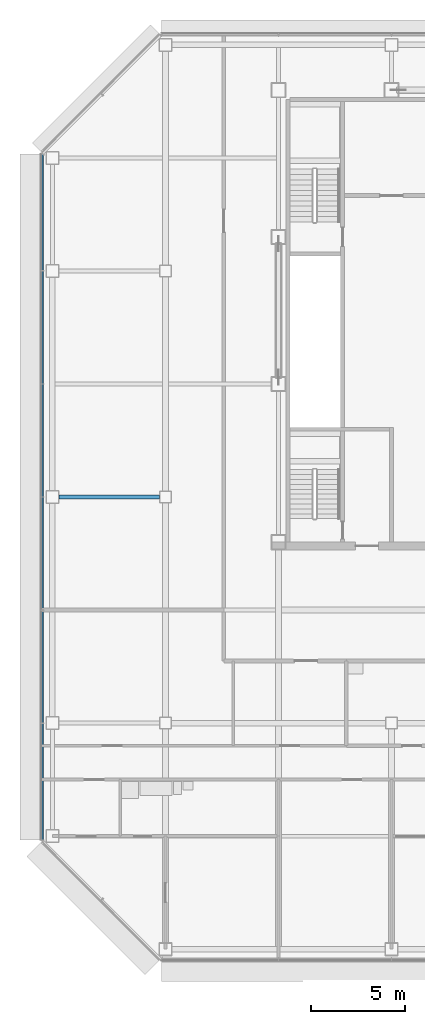
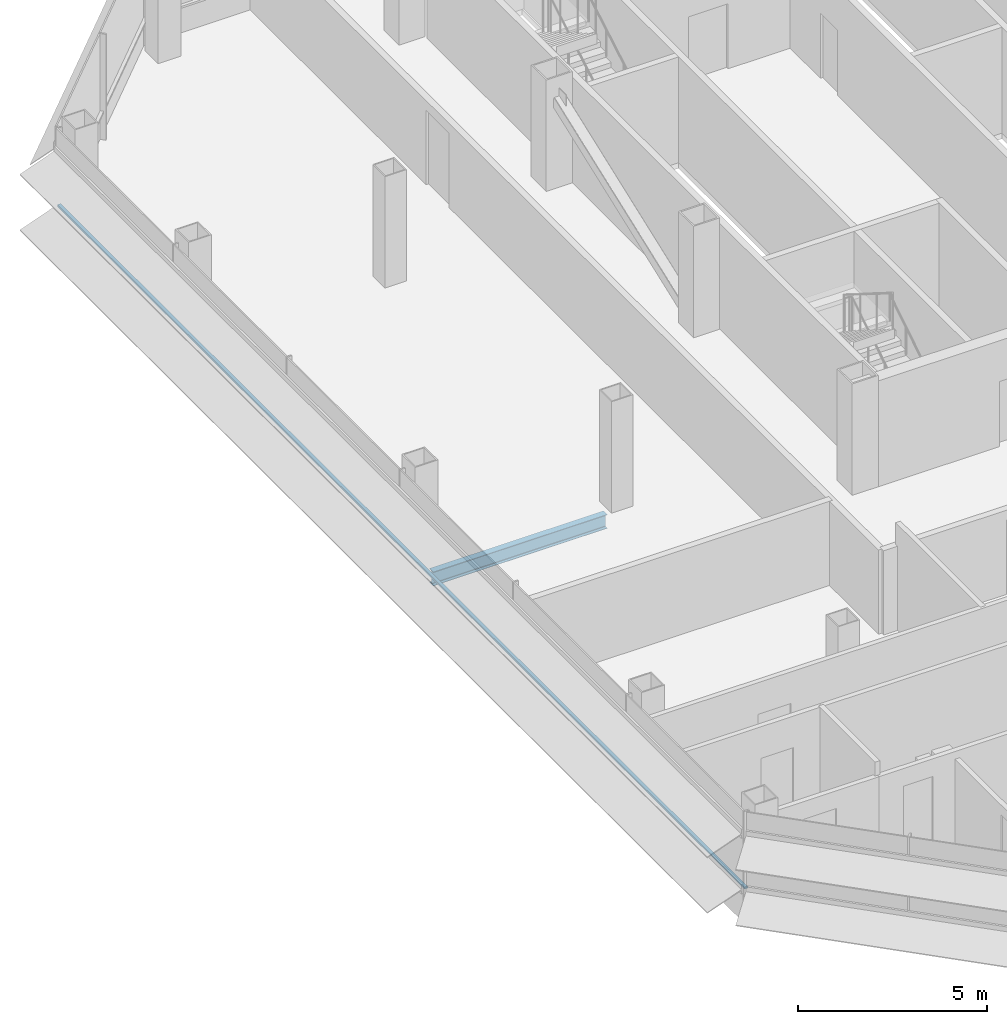
# One storey, part 5 of 27: 1 beam, 1 member, 1 element without a shape of its own.
"""IFC4 building model written with IfcOpenShell, lengths in metres."""

from ifc_helpers import new_model, si_unit, direction, frame, origin, origin_2d, place, context, subcontext, project, spatial, rectangle, i_section, extrude, material, material_profile, profile_set, type_object, element, aggregate, save


model = new_model("IFC4")

# Units and contexts
model_context = context("Model", 3, precision=1e-05, world=origin(), true_north=direction((0.0, 1.0)))
body_context = subcontext(model_context, "Body", "Model", "MODEL_VIEW")
ifc_project = project(units=[si_unit("LENGTHUNIT", "METRE"), si_unit("AREAUNIT", "SQUARE_METRE"), si_unit("VOLUMEUNIT", "CUBIC_METRE"), si_unit("PLANEANGLEUNIT", "RADIAN"), si_unit("MASSUNIT", "GRAM", prefix="KILO")], contexts=[model_context])

# Site, building, storey
site_placement = place(None, origin())
site = spatial("IfcSite", under=ifc_project, at=site_placement, CompositionType="ELEMENT")
building_placement = place(site_placement, origin())
building = spatial("IfcBuilding", under=site, at=building_placement, Name="Sorahane Residences", CompositionType="ELEMENT")
storey_placement = place(building_placement, frame((0.0, 0.0, 167.199951171875)))
storey = spatial("IfcBuildingStorey", under=building, at=storey_placement, Name="L38", CompositionType="ELEMENT", Elevation=167.199951171875)

# Curtain wall, member
ifc_material_1 = material(Name="Dark low-e glass and black anodised aluminium", Category="aluminium")
curtain_wall_type = type_object("IfcCurtainWallType", Name="Curtain wall CW-1 Typical unitised wall", PredefinedType="NOTDEFINED", material=ifc_material_1)
curtain_wall_placement = place(storey_placement, origin())
curtain_wall = element("IfcCurtainWall", 1, at=curtain_wall_placement, inside=storey, type_object=curtain_wall_type, Name="CW-1 curtain wall L38 W1", PredefinedType="NOTDEFINED")
ifc_material_2 = material(Name="Black anodised aluminium", Category="aluminium")
ifc_material_profile_1 = material_profile(ifc_material_2, rectangle(XDim=0.10009765625, YDim=0.06005859375, at=origin_2d()), Name="Curtain wall transom CW-1 black anodised aluminium 60x100")
ifc_profile_set_1 = profile_set([ifc_material_profile_1], Name="Black anodised aluminium")
member_type = type_object("IfcMemberType", Name="Curtain wall transom CW-1 black anodised aluminium 60x100", PredefinedType="USERDEFINED", material=ifc_profile_set_1)
member_placement = place(storey_placement, frame((-6.530029296875, 42.198486328125, 0.900146484375), z_axis=(0.0, -1.0, 0.0), x_axis=(1.0, 0.0, 0.0)))
member = element("IfcMember", 2, at=member_placement, type_object=member_type, Name="CW-1 transom L38 W1", ObjectType="TRANSOM", PredefinedType="USERDEFINED", context=body_context, shape_type="SweptSolid", body=[
    extrude(rectangle(XDim=0.10009765625, YDim=0.06005859375, at=origin_2d()), origin(), (0.0, 0.0, 1.0), 36.39697265625),
])
aggregate(curtain_wall, [member])

# Beam
ifc_material_3 = material(Name="Steel Q355B", Category="steel")
ifc_material_profile_2 = material_profile(ifc_material_3, i_section(OverallWidth=0.199951171875, OverallDepth=0.449951171875, WebThickness=0.009033203125, FlangeThickness=0.013916015625, FilletRadius=0.02001953125, at=origin_2d()), Name="HN 450x200x9x14")
ifc_profile_set_2 = profile_set([ifc_material_profile_2], Name="Steel Q355B")
beam_type = type_object("IfcBeamType", Name="Steel floor beam HN 450x200x9x14 Q355B", PredefinedType="BEAM", material=ifc_profile_set_2)
beam_placement = place(storey_placement, frame((-5.64990234375, 24.0, -0.405029296875), z_axis=(1.0, 0.0, 0.0), x_axis=(0.0, 1.0, 0.0)))
element("IfcBeam", 3, at=beam_placement, inside=storey, type_object=beam_type, Name="Beam L38 011", PredefinedType="BEAM", context=body_context, shape_type="SweptSolid", body=[
    extrude(i_section(OverallWidth=0.199951171875, OverallDepth=0.449951171875, WebThickness=0.009033203125, FlangeThickness=0.013916015625, FilletRadius=0.02001953125, at=origin_2d()), origin(), (0.0, 0.0, 1.0), 5.324951171875),
])

save(model, "model.ifc")
